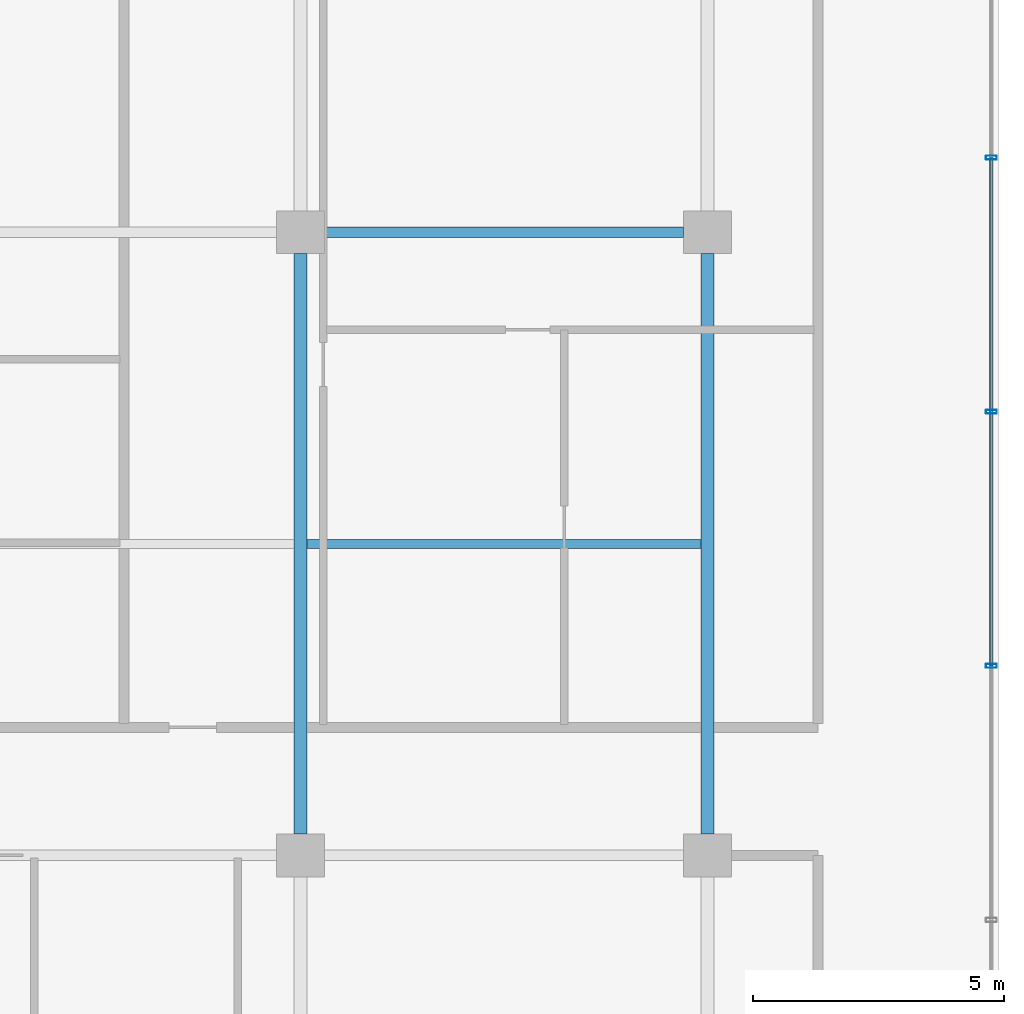
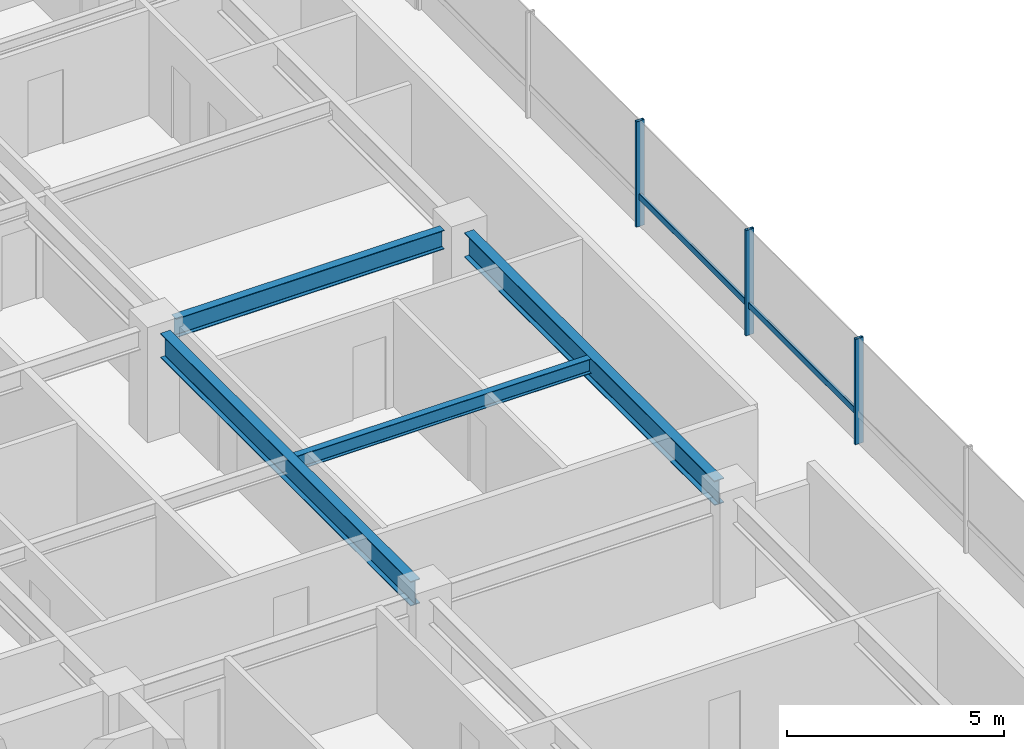
# One storey, part 17 of 38: 5 members, 4 beams, 1 element without a shape of its own.
"""IFC4 building model written with IfcOpenShell, lengths in metres."""

from ifc_helpers import new_model, si_unit, direction, frame, origin, origin_2d, place, context, subcontext, project, spatial, hollow_rectangle, i_section, extrude, material, layer, layer_set, material_profile, profile_set, type_object, element, aggregate, save


model = new_model("IFC4")

# Units and contexts
model_context = context("Model", 3, precision=1e-05, world=origin(), true_north=direction((0.0, 1.0)))
body_context = subcontext(model_context, "Body", "Model", "MODEL_VIEW")
ifc_project = project(units=[si_unit("LENGTHUNIT", "METRE"), si_unit("AREAUNIT", "SQUARE_METRE"), si_unit("VOLUMEUNIT", "CUBIC_METRE"), si_unit("PLANEANGLEUNIT", "RADIAN"), si_unit("MASSUNIT", "GRAM", prefix="KILO")], contexts=[model_context])

# Site, building, storey
site_placement = place(None, origin())
site = spatial("IfcSite", under=ifc_project, at=site_placement, CompositionType="ELEMENT")
building_placement = place(site_placement, origin())
building = spatial("IfcBuilding", under=site, at=building_placement, Name="Korimba Cascade Residences", CompositionType="ELEMENT")
storey_placement = place(building_placement, frame((0.0, 0.0, 93.800048828125)))
storey = spatial("IfcBuildingStorey", under=building, at=storey_placement, Name="L26", CompositionType="ELEMENT", Elevation=93.800048828125)

# Beams
ifc_material_1 = material(Name="Steel S355", Category="steel")
ifc_material_profile_1 = material_profile(ifc_material_1, i_section(OverallWidth=0.1787109375, OverallDepth=0.409423828125, WebThickness=0.0087890625, FlangeThickness=0.014404296875, FilletRadius=0.01025390625, at=origin_2d()), Name="Steel S355")
ifc_profile_set_1 = profile_set([ifc_material_profile_1], Name="Steel S355")
beam_type_1 = type_object("IfcBeamType", Name="BM-STL-UB406", PredefinedType="JOIST", material=ifc_profile_set_1)
beam_1_placement = place(storey_placement, frame((120.427978515625, 73.39990234375, 2.76513671875), z_axis=(1.0, 0.0, 0.0), x_axis=(0.0, 1.0, 0.0)))
element("IfcBeam", 1, at=beam_1_placement, inside=storey, type_object=beam_type_1, Name="L26 T1 Floor Joist 1.8", PredefinedType="JOIST", context=body_context, shape_type="SweptSolid", body=[
    extrude(i_section(OverallWidth=0.1787109375, OverallDepth=0.409423828125, WebThickness=0.0087890625, FlangeThickness=0.014404296875, FilletRadius=0.01025390625, at=origin_2d()), origin(), (0.0, 0.0, 1.0), 7.84423828125),
])
ifc_material_profile_2 = material_profile(ifc_material_1, i_section(OverallWidth=0.2099609375, OverallDepth=0.53662109375, WebThickness=0.0107421875, FlangeThickness=0.017333984375, FilletRadius=0.0126953125, at=origin_2d()), Name="Steel S355")
ifc_profile_set_2 = profile_set([ifc_material_profile_2], Name="Steel S355")
beam_type_2 = type_object("IfcBeamType", Name="BM-STL-UB533", PredefinedType="BEAM", material=ifc_profile_set_2)
beam_2_placement = place(storey_placement, frame((120.77490234375, 79.60009765625, 2.70166015625), z_axis=(1.0, 0.0, 0.0), x_axis=(0.0, 1.0, 0.0)))
element("IfcBeam", 2, at=beam_2_placement, inside=storey, type_object=beam_type_2, Name="L26 T1 E-W Girder Y3 Bay 8", PredefinedType="BEAM", context=body_context, shape_type="SweptSolid", body=[
    extrude(i_section(OverallWidth=0.2099609375, OverallDepth=0.53662109375, WebThickness=0.0107421875, FlangeThickness=0.017333984375, FilletRadius=0.0126953125, at=origin_2d()), origin(), (0.0, 0.0, 1.0), 7.150146484375),
])
ifc_material_profile_3 = material_profile(ifc_material_1, i_section(OverallWidth=0.255859375, OverallDepth=0.69287109375, WebThickness=0.014404296875, FlangeThickness=0.023681640625, FilletRadius=0.01513671875, at=origin_2d()), Name="Steel S355")
ifc_profile_set_3 = profile_set([ifc_material_profile_3], Name="Steel S355")
beam_type_3 = type_object("IfcBeamType", Name="BM-STL-UB686", PredefinedType="BEAM", material=ifc_profile_set_3)
for number, where, z_axis, x_axis, name in (
    (3, (120.300048828125, 67.625, 2.62353515625), (0.0, 1.0, 0.0), (-1.0, 0.0, 0.0), "L26 T1 N-S Girder X8 Seg 2"),
    (4, (128.39990234375, 67.625, 2.62353515625), (0.0, 1.0, 0.0), (-1.0, 0.0, 0.0), "L26 T1 N-S Girder X9 Seg 2"),
):
    element("IfcBeam", number, at=place(storey_placement, frame(where, z_axis=z_axis, x_axis=x_axis)), inside=storey, type_object=beam_type_3, Name=name, PredefinedType="BEAM", context=body_context, shape_type="SweptSolid", body=[
        extrude(i_section(OverallWidth=0.255859375, OverallDepth=0.69287109375, WebThickness=0.014404296875, FlangeThickness=0.023681640625, FilletRadius=0.01513671875, at=origin_2d()), origin(), (0.0, 0.0, 1.0), 11.550048828125),
    ])

# Curtain wall, members
ifc_material_2 = material(Name="Anodised Aluminium Curtain Wall Framing", Category="aluminium")
ifc_layer = layer(ifc_material_2, 0.179931640625)
ifc_layer_set = layer_set([ifc_layer], Name="Anodised Aluminium Curtain Wall Framing")
curtain_wall_type = type_object("IfcCurtainWallType", Name="CW-SKY-SYS2", PredefinedType="NOTDEFINED", material=ifc_layer_set)
curtain_wall_placement = place(storey_placement, origin())
curtain_wall = element("IfcCurtainWall", 5, at=curtain_wall_placement, inside=storey, type_object=curtain_wall_type, Name="L26 Curtain Wall CW-L26-T1-E3", PredefinedType="NOTDEFINED")
ifc_material_3 = material(Name="Anodised Aluminium Mullion", Category="aluminium")
ifc_material_profile_4 = material_profile(ifc_material_3, hollow_rectangle(XDim=0.080078125, YDim=0.219970703125, WallThickness=0.00634765625, InnerFilletRadius=0.00634765625, OuterFilletRadius=0.0126953125, at=origin_2d()), Name="Anodised Aluminium Mullion")
ifc_profile_set_4 = profile_set([ifc_material_profile_4], Name="Anodised Aluminium Mullion")
member_type_1 = type_object("IfcMemberType", Name="CWM-MUL-220", PredefinedType="MULLION", material=ifc_profile_set_4)
member_1_placement = place(storey_placement, frame((134.050048828125, 70.971435546875, 0.0), z_axis=(0.0, 0.0, 1.0), x_axis=(0.0, 1.0, 0.0)))
member_1 = element("IfcMember", 6, at=member_1_placement, type_object=member_type_1, Name="CW-L26-T1-E3 Mullion 4", PredefinedType="MULLION", context=body_context, shape_type="SweptSolid", body=[
    extrude(hollow_rectangle(XDim=0.080078125, YDim=0.219970703125, WallThickness=0.00634765625, InnerFilletRadius=0.00634765625, OuterFilletRadius=0.0126953125, at=origin_2d()), origin(), (0.0, 0.0, 1.0), 2.969970703125),
])
member_2_placement = place(storey_placement, frame((134.050048828125, 76.028564453125, 0.0), z_axis=(0.0, 0.0, 1.0), x_axis=(0.0, 1.0, 0.0)))
member_2 = element("IfcMember", 7, at=member_2_placement, type_object=member_type_1, Name="CW-L26-T1-E3 Mullion 5", PredefinedType="MULLION", context=body_context, shape_type="SweptSolid", body=[
    extrude(hollow_rectangle(XDim=0.080078125, YDim=0.219970703125, WallThickness=0.00634765625, InnerFilletRadius=0.00634765625, OuterFilletRadius=0.0126953125, at=origin_2d()), origin(), (0.0, 0.0, 1.0), 2.969970703125),
])
member_3_placement = place(storey_placement, frame((134.050048828125, 81.085693359375, 0.0), z_axis=(0.0, 0.0, 1.0), x_axis=(0.0, 1.0, 0.0)))
member_3 = element("IfcMember", 8, at=member_3_placement, type_object=member_type_1, Name="CW-L26-T1-E3 Mullion 6", PredefinedType="MULLION", context=body_context, shape_type="SweptSolid", body=[
    extrude(hollow_rectangle(XDim=0.080078125, YDim=0.219970703125, WallThickness=0.00634765625, InnerFilletRadius=0.00634765625, OuterFilletRadius=0.0126953125, at=origin_2d()), origin(), (0.0, 0.0, 1.0), 2.969970703125),
])
ifc_material_4 = material(Name="Anodised Aluminium Transom", Category="aluminium")
ifc_material_profile_5 = material_profile(ifc_material_4, hollow_rectangle(XDim=0.070068359375, YDim=0.179931640625, WallThickness=0.0048828125, InnerFilletRadius=0.0048828125, OuterFilletRadius=0.010009765625, at=origin_2d()), Name="Anodised Aluminium Transom")
ifc_profile_set_5 = profile_set([ifc_material_profile_5], Name="Anodised Aluminium Transom")
member_type_2 = type_object("IfcMemberType", Name="CWM-TRN-150", PredefinedType="USERDEFINED", material=ifc_profile_set_5)
member_4_placement = place(storey_placement, frame((134.050048828125, 70.971435546875, 0.83154296875), z_axis=(0.0, 1.0, 0.0), x_axis=(-1.0, 0.0, 0.0)))
member_4 = element("IfcMember", 9, at=member_4_placement, type_object=member_type_2, Name="CW-L26-T1-E3 Transom 4", ObjectType="TRANSOM", PredefinedType="USERDEFINED", context=body_context, shape_type="SweptSolid", body=[
    extrude(hollow_rectangle(XDim=0.070068359375, YDim=0.179931640625, WallThickness=0.0048828125, InnerFilletRadius=0.0048828125, OuterFilletRadius=0.010009765625, at=origin_2d()), origin(), (0.0, 0.0, 1.0), 5.05712890625),
])
member_5_placement = place(storey_placement, frame((134.050048828125, 76.028564453125, 0.83154296875), z_axis=(0.0, 1.0, 0.0), x_axis=(-1.0, 0.0, 0.0)))
member_5 = element("IfcMember", 10, at=member_5_placement, type_object=member_type_2, Name="CW-L26-T1-E3 Transom 5", ObjectType="TRANSOM", PredefinedType="USERDEFINED", context=body_context, shape_type="SweptSolid", body=[
    extrude(hollow_rectangle(XDim=0.070068359375, YDim=0.179931640625, WallThickness=0.0048828125, InnerFilletRadius=0.0048828125, OuterFilletRadius=0.010009765625, at=origin_2d()), origin(), (0.0, 0.0, 1.0), 5.05712890625),
])
aggregate(curtain_wall, [member_1, member_2, member_3, member_4, member_5])

save(model, "model.ifc")
